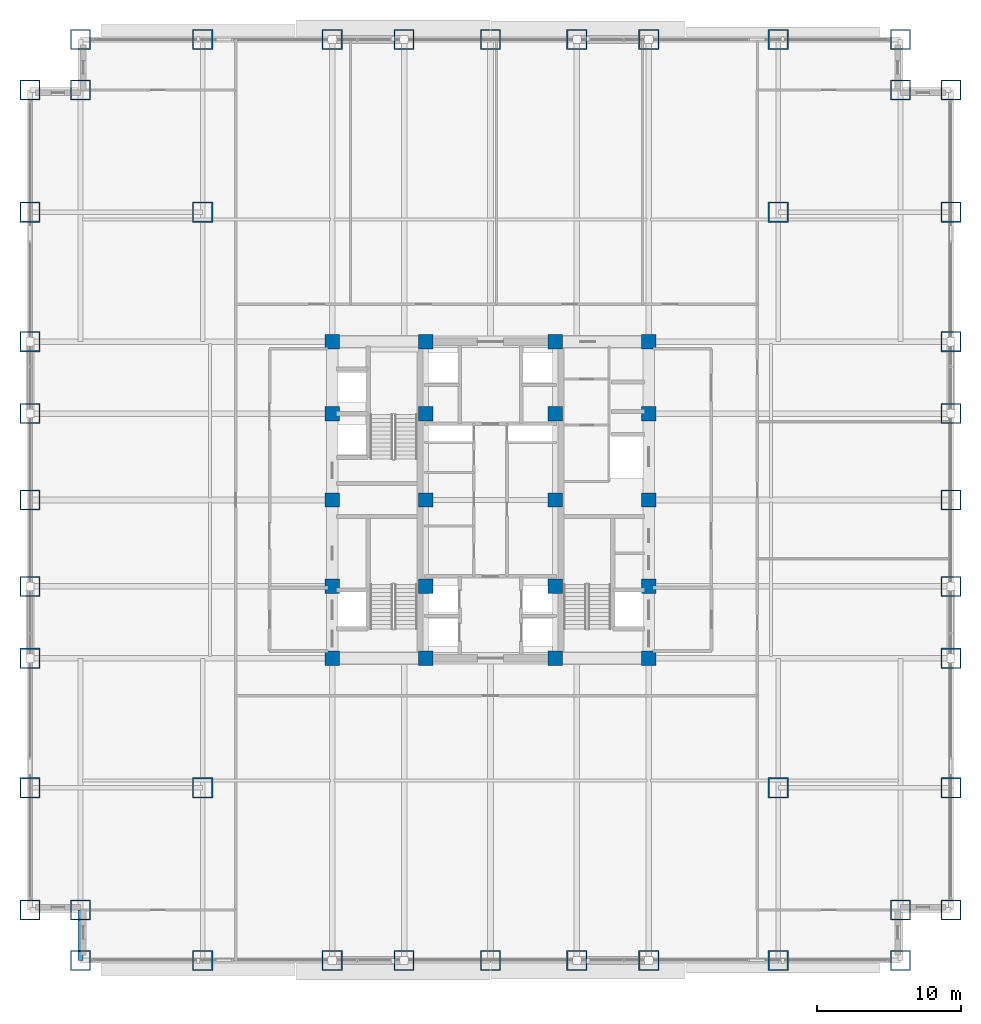
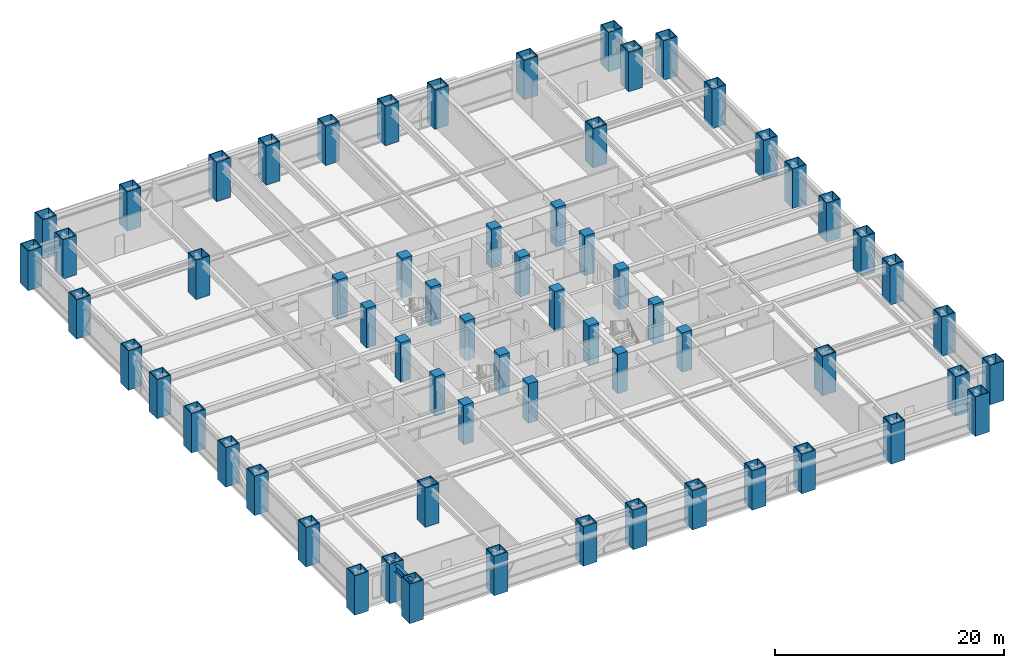
# One storey, part 1 of 31: 64 columns, 1 beam.
"""IFC4 building model written with IfcOpenShell, lengths in metres."""

import ifcopenshell
import ifcopenshell.guid

model = None  # the IFC model being written
_history = None  # IfcOwnerHistory: only IFC2X3 demands one
_inside = {}  # id of a spatial element -> (the spatial element, [elements in it])
_under = {}  # id of a project, library or spatial element -> (it, [spatial elements below it])
_declared = {}  # id of a project -> (the project, [libraries it declares])
_typed = {}  # id of a type object -> (the type object, [elements of that type])
_made_of = {}  # id of a material, layer set ... -> (it, [elements and type objects made of it])


def new_model(schema):
    """Start an empty IFC model of exactly this schema.

    Asked for "IFC4X3", IfcOpenShell would pick the latest addendum, in which some entities
    have other attributes; the version numbers below select the first issue.
    IFC2X3 requires an IfcOwnerHistory on every rooted entity: one is made here for all.
    """
    global model, _history
    if schema == "IFC4X3":
        model = ifcopenshell.file(schema_version=(4, 3, 0, 0))
    else:
        model = ifcopenshell.file(schema=schema)
    _inside.clear()
    _under.clear()
    _declared.clear()
    _typed.clear()
    _made_of.clear()
    _history = None
    if model.schema == "IFC2X3":
        org = make("IfcOrganization", Name="unknown")
        user = make(
            "IfcPersonAndOrganization",
            ThePerson=make("IfcPerson", FamilyName="unknown"),
            TheOrganization=org,
        )
        app = make(
            "IfcApplication",
            ApplicationDeveloper=org,
            Version="unknown",
            ApplicationFullName="unknown",
            ApplicationIdentifier="unknown",
        )
        _history = make(
            "IfcOwnerHistory",
            OwningUser=user,
            OwningApplication=app,
            ChangeAction="ADDED",
            CreationDate=0,
        )
    return model


def make(cls, **values):
    """One entity of the class cls with the attributes given. An attribute that is None is left unset."""
    return model.create_entity(
        cls, **{name: value for name, value in values.items() if value is not None}
    )


def rooted(cls, **values):
    """An entity with a GlobalId (a new one), such as an element, a storey or a relation."""
    return make(cls, GlobalId=ifcopenshell.guid.new(), OwnerHistory=_history, **values)


def si_unit(unit_type, name, prefix=None):
    """IfcSIUnit, for example si_unit("LENGTHUNIT", "METRE", prefix="MILLI")."""
    return make("IfcSIUnit", UnitType=unit_type, Prefix=prefix, Name=name)


def assignment(units):
    """IfcUnitAssignment: the units of a project."""
    return None if units is None else make("IfcUnitAssignment", Units=units)


def point(xyz):
    """IfcCartesianPoint."""
    return None if xyz is None else make("IfcCartesianPoint", Coordinates=xyz)


def direction(xyz):
    """IfcDirection."""
    return None if xyz is None else make("IfcDirection", DirectionRatios=xyz)


def frame(location, z_axis=None, x_axis=None):
    """IfcAxis2Placement3D, a coordinate frame: its origin and axes. An axis left out is left unset."""
    return make(
        "IfcAxis2Placement3D",
        Location=point(location),
        Axis=direction(z_axis),
        RefDirection=direction(x_axis),
    )


def frame_2d(location, x_axis=None):
    """IfcAxis2Placement2D, a coordinate frame in the plane: its origin and x axis."""
    return make(
        "IfcAxis2Placement2D", Location=point(location), RefDirection=direction(x_axis)
    )


def origin():
    """The frame at (0, 0, 0) with its axes left unset."""
    return frame((0.0, 0.0, 0.0))


def origin_2d():
    """The frame at (0, 0) in the plane with its x axis left unset."""
    return frame_2d((0.0, 0.0))


def place(relative_to, where):
    """IfcLocalPlacement: puts the frame where relative to a parent placement (None: the world)."""
    return make(
        "IfcLocalPlacement", PlacementRelTo=relative_to, RelativePlacement=where
    )


def context(
    kind, dimensions, precision=None, world=None, true_north=None, identifier=None
):
    """IfcGeometricRepresentationContext, for example the 3D "Model" context."""
    return make(
        "IfcGeometricRepresentationContext",
        ContextIdentifier=identifier,
        ContextType=kind,
        CoordinateSpaceDimension=dimensions,
        Precision=precision,
        WorldCoordinateSystem=world,
        TrueNorth=true_north,
    )


def subcontext(parent, identifier, kind, view, scale=None):
    """IfcGeometricRepresentationSubContext, for example "Body" below "Model"."""
    return make(
        "IfcGeometricRepresentationSubContext",
        ContextIdentifier=identifier,
        ContextType=kind,
        ParentContext=parent,
        TargetScale=scale,
        TargetView=view,
    )


def project(units=None, contexts=None):
    """IfcProject with its units and contexts."""
    return rooted(
        "IfcProject",
        Name="project",
        RepresentationContexts=contexts,
        UnitsInContext=assignment(units),
    )


def spatial(cls, under=None, at=None, **own):
    """A site, building, storey or space (cls), placed at a placement, below another one or the project."""
    s = rooted(cls, ObjectPlacement=at, **own)
    if under is not None:
        _under.setdefault(under.id(), (under, []))[1].append(s)
    return s


def profile(cls, at=None, kind="AREA", **sizes):
    """A parametric profile (cls). Its sizes go by their IFC names, for example OverallWidth=200.0."""
    return make(cls, ProfileType=kind, Position=at, **sizes)


def rectangle(**sizes):
    """IfcRectangleProfileDef."""
    return profile("IfcRectangleProfileDef", **sizes)


def hollow_rectangle(**sizes):
    """IfcRectangleHollowProfileDef."""
    return profile("IfcRectangleHollowProfileDef", **sizes)


def i_section(**sizes):
    """IfcIShapeProfileDef."""
    return profile("IfcIShapeProfileDef", **sizes)


def extrude(swept, where, along, depth):
    """IfcExtrudedAreaSolid: the profile swept, set in the frame where, extruded along a direction by depth."""
    return make(
        "IfcExtrudedAreaSolid",
        SweptArea=swept,
        Position=where,
        ExtrudedDirection=direction(along),
        Depth=depth,
    )


def shape(context_of_items, identifier, shape_type, items):
    """IfcShapeRepresentation: the items that make up one representation, for example the "Body"."""
    return make(
        "IfcShapeRepresentation",
        ContextOfItems=context_of_items,
        RepresentationIdentifier=identifier,
        RepresentationType=shape_type,
        Items=items,
    )


def source(mapping_origin, context_of_items, identifier, shape_type, items):
    """IfcRepresentationMap: a shape defined once, which mapped items show again and again."""
    return make(
        "IfcRepresentationMap",
        MappingOrigin=mapping_origin,
        MappedRepresentation=shape(context_of_items, identifier, shape_type, items),
    )


def transform(
    local_origin,
    x_axis=None,
    y_axis=None,
    z_axis=None,
    scale=None,
    scale2=None,
    scale3=None,
    uniform=True,
):
    """IfcCartesianTransformationOperator3D, or its non-uniform kind. x_axis, y_axis, z_axis: its Axis1, 2, 3."""
    if uniform:
        return make(
            "IfcCartesianTransformationOperator3D",
            Axis1=direction(x_axis),
            Axis2=direction(y_axis),
            LocalOrigin=point(local_origin),
            Scale=scale,
            Axis3=direction(z_axis),
        )
    return make(
        "IfcCartesianTransformationOperator3DnonUniform",
        Axis1=direction(x_axis),
        Axis2=direction(y_axis),
        LocalOrigin=point(local_origin),
        Scale=scale,
        Axis3=direction(z_axis),
        Scale2=scale2,
        Scale3=scale3,
    )


def mapped(mapping_source, mapping_target):
    """IfcMappedItem: shows the shape of a source again, moved by a transform."""
    return make(
        "IfcMappedItem", MappingSource=mapping_source, MappingTarget=mapping_target
    )


def material(Name=None, Category=None):
    """IfcMaterial."""
    return make("IfcMaterial", Name=Name, Category=Category)


def material_profile(
    of_material, cross_section, Name=None, Category=None, Priority=None
):
    """IfcMaterialProfile: a cross section and its material."""
    return make(
        "IfcMaterialProfile",
        Name=Name,
        Material=of_material,
        Profile=cross_section,
        Priority=Priority,
        Category=Category,
    )


def profile_set(profiles, Name=None, composite=None):
    """IfcMaterialProfileSet."""
    return make(
        "IfcMaterialProfileSet",
        Name=Name,
        MaterialProfiles=profiles,
        CompositeProfile=composite,
    )


def made_of(thing, what):
    """Note that an element or type object is made of a material, layer set ...; save() writes the relation."""
    if what is not None:
        _made_of.setdefault(what.id(), (what, []))[1].append(thing)
    return thing


def type_object(cls, material=None, **own):
    """A type object (cls), such as IfcWallType, which elements share."""
    return made_of(rooted(cls, **own), material)


def element(
    cls,
    number,
    at=None,
    inside=None,
    cuts=None,
    type_object=None,
    material=None,
    context=None,
    identifier="Body",
    shape_type=None,
    held_by="IfcProductDefinitionShape",
    body=None,
    shapes=None,
    **own,
):
    """One element of the class cls, such as IfcWall. Its Tag is "e" and its number.

    at: its placement. inside: the storey or other place that contains it. cuts: it is an
    opening in that element (IfcRelVoidsElement). A single representation is given by context,
    identifier, shape_type and body (its items); several are given by shapes. held_by: the class
    of the entity that holds the representations. save() writes the other relations.
    """
    e = rooted(cls, Tag="e%d" % number, ObjectPlacement=at, **own)
    if body is not None:
        shapes = [shape(context, identifier, shape_type, body)]
    if shapes is not None:
        e.Representation = make(held_by, Representations=shapes)
    if inside is not None:
        _inside.setdefault(inside.id(), (inside, []))[1].append(e)
    if cuts is not None:
        rooted(
            "IfcRelVoidsElement", RelatingBuildingElement=cuts, RelatedOpeningElement=e
        )
    if type_object is not None:
        _typed.setdefault(type_object.id(), (type_object, []))[1].append(e)
    return made_of(e, material)


def aggregate(whole, parts):
    """IfcRelAggregates: a whole, such as a stair, and the parts it consists of."""
    return rooted("IfcRelAggregates", RelatingObject=whole, RelatedObjects=parts)


def save(model, path):
    """Write the relations noted so far, then the file.

    IfcRelAggregates (storeys below a building ...), IfcRelContainedInSpatialStructure (elements
    in a storey), IfcRelDefinesByType, IfcRelAssociatesMaterial and IfcRelDeclares: one each for
    every whole, place, type object, material and project.
    """
    for whole, parts in _under.values():
        aggregate(whole, parts)
    for where, things in _inside.values():
        rooted(
            "IfcRelContainedInSpatialStructure",
            RelatedElements=things,
            RelatingStructure=where,
        )
    for kind, things in _typed.values():
        rooted("IfcRelDefinesByType", RelatedObjects=things, RelatingType=kind)
    for what, things in _made_of.values():
        rooted("IfcRelAssociatesMaterial", RelatedObjects=things, RelatingMaterial=what)
    for by, libraries in _declared.values():
        rooted("IfcRelDeclares", RelatingContext=by, RelatedDefinitions=libraries)
    model.write(path)


model = new_model("IFC4")

# Units and contexts
model_context = context("Model", 3, precision=1e-05, world=origin(), true_north=direction((0.0, 1.0)))
body_context = subcontext(model_context, "Body", "Model", "MODEL_VIEW")
ifc_project = project(units=[si_unit("LENGTHUNIT", "METRE"), si_unit("AREAUNIT", "SQUARE_METRE"), si_unit("VOLUMEUNIT", "CUBIC_METRE"), si_unit("PLANEANGLEUNIT", "RADIAN"), si_unit("MASSUNIT", "GRAM", prefix="KILO")], contexts=[model_context])

# Site, building, storey
site_placement = place(None, origin())
site = spatial("IfcSite", under=ifc_project, at=site_placement, CompositionType="ELEMENT")
building_placement = place(site_placement, origin())
building = spatial("IfcBuilding", under=site, at=building_placement, Name="Khorayat Bourse Tower", CompositionType="ELEMENT")
storey_placement = place(building_placement, frame((0.0, 0.0, 41.0)))
storey = spatial("IfcBuildingStorey", under=building, at=storey_placement, Name="L08", CompositionType="ELEMENT", Elevation=41.0)

# Columns
ifc_material_1 = material(Name="Steel EN 10025-4 S460M", Category="steel")
ifc_material_profile_1 = material_profile(ifc_material_1, hollow_rectangle(XDim=1.39990234375, YDim=1.39990234375, WallThickness=0.074951171875, at=origin_2d()), Name="BOX 1400x1400x75")
ifc_profile_set_1 = profile_set([ifc_material_profile_1], Name="Steel EN 10025-4 S460M")
column_type_1 = type_object("IfcColumnType", Name="COL-TUBE-1400", PredefinedType="COLUMN", material=ifc_profile_set_1)
shared_shape_1 = source(origin(), body_context, "Body", "SweptSolid", [
    extrude(hollow_rectangle(XDim=1.39990234375, YDim=1.39990234375, WallThickness=0.074951171875, at=origin_2d()), origin(), (0.0, 0.0, 1.0), 4.199951171875),
])
for number, where, z_axis, x_axis, name in (
    (1, (-32.0, -28.5, 0.0), (0.0, 0.0, 1.0), (1.0, 0.0, 0.0), "L08 Column 001"),
    (2, (-32.0, -20.0, 0.0), (0.0, 0.0, 1.0), (1.0, 0.0, 0.0), "L08 Column 002"),
    (3, (-32.0, -11.0, 0.0), (0.0, 0.0, 1.0), (1.0, 0.0, 0.0), "L08 Column 003"),
    (4, (-32.0, -6.0, 0.0), (0.0, 0.0, 1.0), (1.0, 0.0, 0.0), "L08 Column 004"),
    (5, (-32.0, 0.0, 0.0), (0.0, 0.0, 1.0), (1.0, 0.0, 0.0), "L08 Column 005"),
    (6, (-32.0, 6.0, 0.0), (0.0, 0.0, 1.0), (1.0, 0.0, 0.0), "L08 Column 006"),
    (7, (-32.0, 11.0, 0.0), (0.0, 0.0, 1.0), (1.0, 0.0, 0.0), "L08 Column 007"),
    (8, (-32.0, 20.0, 0.0), (0.0, 0.0, 1.0), (1.0, 0.0, 0.0), "L08 Column 008"),
    (9, (-32.0, 28.5, 0.0), (0.0, 0.0, 1.0), (1.0, 0.0, 0.0), "L08 Column 009"),
    (10, (-28.5, -32.0, 0.0), (0.0, 0.0, 1.0), (1.0, 0.0, 0.0), "L08 Column 010"),
    (11, (-28.5, -28.5, 0.0), (0.0, 0.0, 1.0), (1.0, 0.0, 0.0), "L08 Column 011"),
    (12, (-28.5, 28.5, 0.0), (0.0, 0.0, 1.0), (1.0, 0.0, 0.0), "L08 Column 012"),
    (13, (-28.5, 32.0, 0.0), (0.0, 0.0, 1.0), (1.0, 0.0, 0.0), "L08 Column 013"),
    (14, (-20.0, -32.0, 0.0), (0.0, 0.0, 1.0), (1.0, 0.0, 0.0), "L08 Column 014"),
    (15, (-20.0, -20.0, 0.0), (0.0, 0.0, 1.0), (1.0, 0.0, 0.0), "L08 Column 015"),
    (16, (-20.0, 20.0, 0.0), (0.0, 0.0, 1.0), (1.0, 0.0, 0.0), "L08 Column 016"),
    (17, (-20.0, 32.0, 0.0), (0.0, 0.0, 1.0), (1.0, 0.0, 0.0), "L08 Column 017"),
    (18, (-11.0, -32.0, 0.0), (0.0, 0.0, 1.0), (1.0, 0.0, 0.0), "L08 Column 018"),
    (19, (-11.0, 32.0, 0.0), (0.0, 0.0, 1.0), (1.0, 0.0, 0.0), "L08 Column 024"),
    (20, (-6.0, -32.0, 0.0), (0.0, 0.0, 1.0), (1.0, 0.0, 0.0), "L08 Column 025"),
    (21, (-6.0, 32.0, 0.0), (0.0, 0.0, 1.0), (1.0, 0.0, 0.0), "L08 Column 026"),
    (22, (0.0, -32.0, 0.0), (0.0, 0.0, 1.0), (1.0, 0.0, 0.0), "L08 Column 032"),
    (23, (0.0, 32.0, 0.0), (0.0, 0.0, 1.0), (1.0, 0.0, 0.0), "L08 Column 033"),
    (24, (6.0, -32.0, 0.0), (0.0, 0.0, 1.0), (1.0, 0.0, 0.0), "L08 Column 039"),
    (25, (6.0, 32.0, 0.0), (0.0, 0.0, 1.0), (1.0, 0.0, 0.0), "L08 Column 040"),
    (26, (11.0, -32.0, 0.0), (0.0, 0.0, 1.0), (1.0, 0.0, 0.0), "L08 Column 041"),
    (27, (11.0, 32.0, 0.0), (0.0, 0.0, 1.0), (1.0, 0.0, 0.0), "L08 Column 047"),
    (28, (20.0, -32.0, 0.0), (0.0, 0.0, 1.0), (1.0, 0.0, 0.0), "L08 Column 048"),
    (29, (20.0, -20.0, 0.0), (0.0, 0.0, 1.0), (1.0, 0.0, 0.0), "L08 Column 049"),
    (30, (20.0, 20.0, 0.0), (0.0, 0.0, 1.0), (1.0, 0.0, 0.0), "L08 Column 050"),
    (31, (20.0, 32.0, 0.0), (0.0, 0.0, 1.0), (1.0, 0.0, 0.0), "L08 Column 051"),
    (32, (28.5, -32.0, 0.0), (0.0, 0.0, 1.0), (1.0, 0.0, 0.0), "L08 Column 052"),
    (33, (28.5, -28.5, 0.0), (0.0, 0.0, 1.0), (1.0, 0.0, 0.0), "L08 Column 053"),
    (34, (28.5, 28.5, 0.0), (0.0, 0.0, 1.0), (1.0, 0.0, 0.0), "L08 Column 054"),
    (35, (28.5, 32.0, 0.0), (0.0, 0.0, 1.0), (1.0, 0.0, 0.0), "L08 Column 055"),
    (36, (32.0, -28.5, 0.0), (0.0, 0.0, 1.0), (1.0, 0.0, 0.0), "L08 Column 056"),
    (37, (32.0, -20.0, 0.0), (0.0, 0.0, 1.0), (1.0, 0.0, 0.0), "L08 Column 057"),
    (38, (32.0, -11.0, 0.0), (0.0, 0.0, 1.0), (1.0, 0.0, 0.0), "L08 Column 058"),
    (39, (32.0, -6.0, 0.0), (0.0, 0.0, 1.0), (1.0, 0.0, 0.0), "L08 Column 059"),
    (40, (32.0, 0.0, 0.0), (0.0, 0.0, 1.0), (1.0, 0.0, 0.0), "L08 Column 060"),
    (41, (32.0, 6.0, 0.0), (0.0, 0.0, 1.0), (1.0, 0.0, 0.0), "L08 Column 061"),
    (42, (32.0, 11.0, 0.0), (0.0, 0.0, 1.0), (1.0, 0.0, 0.0), "L08 Column 062"),
    (43, (32.0, 20.0, 0.0), (0.0, 0.0, 1.0), (1.0, 0.0, 0.0), "L08 Column 063"),
    (44, (32.0, 28.5, 0.0), (0.0, 0.0, 1.0), (1.0, 0.0, 0.0), "L08 Column 064"),
):
    element("IfcColumn", number, at=place(storey_placement, frame(where, z_axis=z_axis, x_axis=x_axis)), inside=storey, type_object=column_type_1, Name=name, PredefinedType="COLUMN", context=body_context, shape_type="MappedRepresentation", body=[
        mapped(shared_shape_1, transform((0.0, 0.0, 0.0), scale=1.0)),
    ])
ifc_material_2 = material(Name="Concrete C72/90", Category="concrete")
ifc_material_profile_2 = material_profile(ifc_material_2, rectangle(XDim=1.0, YDim=1.0, at=origin_2d()), Name="RC 1000x1000")
ifc_profile_set_2 = profile_set([ifc_material_profile_2], Name="Concrete C72/90")
column_type_2 = type_object("IfcColumnType", Name="COL-CORE-1000", PredefinedType="COLUMN", material=ifc_profile_set_2)
shared_shape_2 = source(origin(), body_context, "Body", "SweptSolid", [
    extrude(rectangle(XDim=1.0, YDim=1.0, at=origin_2d()), origin(), (0.0, 0.0, 1.0), 4.199951171875),
])
for number, where, z_axis, x_axis, name in (
    (45, (-11.0, -11.0, 0.0), (0.0, 0.0, 1.0), (1.0, 0.0, 0.0), "L08 Column 019"),
    (46, (-11.0, -6.0, 0.0), (0.0, 0.0, 1.0), (1.0, 0.0, 0.0), "L08 Column 020"),
    (47, (-11.0, 0.0, 0.0), (0.0, 0.0, 1.0), (1.0, 0.0, 0.0), "L08 Column 021"),
    (48, (-11.0, 6.0, 0.0), (0.0, 0.0, 1.0), (1.0, 0.0, 0.0), "L08 Column 022"),
    (49, (-11.0, 11.0, 0.0), (0.0, 0.0, 1.0), (1.0, 0.0, 0.0), "L08 Column 023"),
    (50, (-4.5, -11.0, 0.0), (0.0, 0.0, 1.0), (1.0, 0.0, 0.0), "L08 Column 027"),
    (51, (-4.5, -6.0, 0.0), (0.0, 0.0, 1.0), (1.0, 0.0, 0.0), "L08 Column 028"),
    (52, (-4.5, 0.0, 0.0), (0.0, 0.0, 1.0), (1.0, 0.0, 0.0), "L08 Column 029"),
    (53, (-4.5, 6.0, 0.0), (0.0, 0.0, 1.0), (1.0, 0.0, 0.0), "L08 Column 030"),
    (54, (-4.5, 11.0, 0.0), (0.0, 0.0, 1.0), (1.0, 0.0, 0.0), "L08 Column 031"),
    (55, (4.5, -11.0, 0.0), (0.0, 0.0, 1.0), (1.0, 0.0, 0.0), "L08 Column 034"),
    (56, (4.5, -6.0, 0.0), (0.0, 0.0, 1.0), (1.0, 0.0, 0.0), "L08 Column 035"),
    (57, (4.5, 0.0, 0.0), (0.0, 0.0, 1.0), (1.0, 0.0, 0.0), "L08 Column 036"),
    (58, (4.5, 6.0, 0.0), (0.0, 0.0, 1.0), (1.0, 0.0, 0.0), "L08 Column 037"),
    (59, (4.5, 11.0, 0.0), (0.0, 0.0, 1.0), (1.0, 0.0, 0.0), "L08 Column 038"),
    (60, (11.0, -11.0, 0.0), (0.0, 0.0, 1.0), (1.0, 0.0, 0.0), "L08 Column 042"),
    (61, (11.0, -6.0, 0.0), (0.0, 0.0, 1.0), (1.0, 0.0, 0.0), "L08 Column 043"),
    (62, (11.0, 0.0, 0.0), (0.0, 0.0, 1.0), (1.0, 0.0, 0.0), "L08 Column 044"),
    (63, (11.0, 6.0, 0.0), (0.0, 0.0, 1.0), (1.0, 0.0, 0.0), "L08 Column 045"),
    (64, (11.0, 11.0, 0.0), (0.0, 0.0, 1.0), (1.0, 0.0, 0.0), "L08 Column 046"),
):
    element("IfcColumn", number, at=place(storey_placement, frame(where, z_axis=z_axis, x_axis=x_axis)), inside=storey, type_object=column_type_2, Name=name, PredefinedType="COLUMN", context=body_context, shape_type="MappedRepresentation", body=[
        mapped(shared_shape_2, transform((0.0, 0.0, 0.0), scale=1.0)),
    ])

# Beam
ifc_material_3 = material(Name="Steel ASTM A992 Grade 50", Category="steel")
ifc_material_profile_3 = material_profile(ifc_material_3, i_section(OverallWidth=0.35498046875, OverallDepth=0.695068359375, WebThickness=0.015380859375, FlangeThickness=0.02490234375, FilletRadius=0.01806640625, at=origin_2d()), Name="W690X217")
ifc_profile_set_3 = profile_set([ifc_material_profile_3], Name="Steel ASTM A992 Grade 50")
beam_type = type_object("IfcBeamType", Name="BM-SPAN-690", PredefinedType="SPANDREL", material=ifc_profile_set_3)
shared_shape_3 = source(origin(), body_context, "Body", "SweptSolid", [
    extrude(i_section(OverallWidth=0.35498046875, OverallDepth=0.695068359375, WebThickness=0.015380859375, FlangeThickness=0.02490234375, FilletRadius=0.01806640625, at=origin_2d()), origin(), (0.0, 0.0, 1.0), 3.5),
])
beam_placement = place(storey_placement, frame((-28.5, -32.0, 3.592529296875), z_axis=(0.0, 1.0, 0.0), x_axis=(-1.0, 0.0, 0.0)))
element("IfcBeam", 65, at=beam_placement, inside=storey, type_object=beam_type, Name="L08 BM-SPAN-690 BM-L08-SPN-063", PredefinedType="SPANDREL", context=body_context, shape_type="MappedRepresentation", body=[
    mapped(shared_shape_3, transform((0.0, 0.0, 0.0), scale=1.0)),
])

save(model, "model.ifc")
